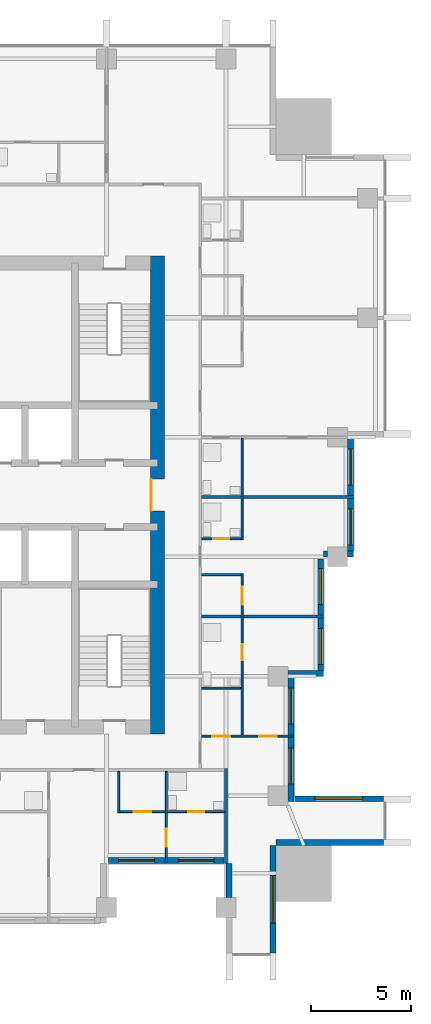
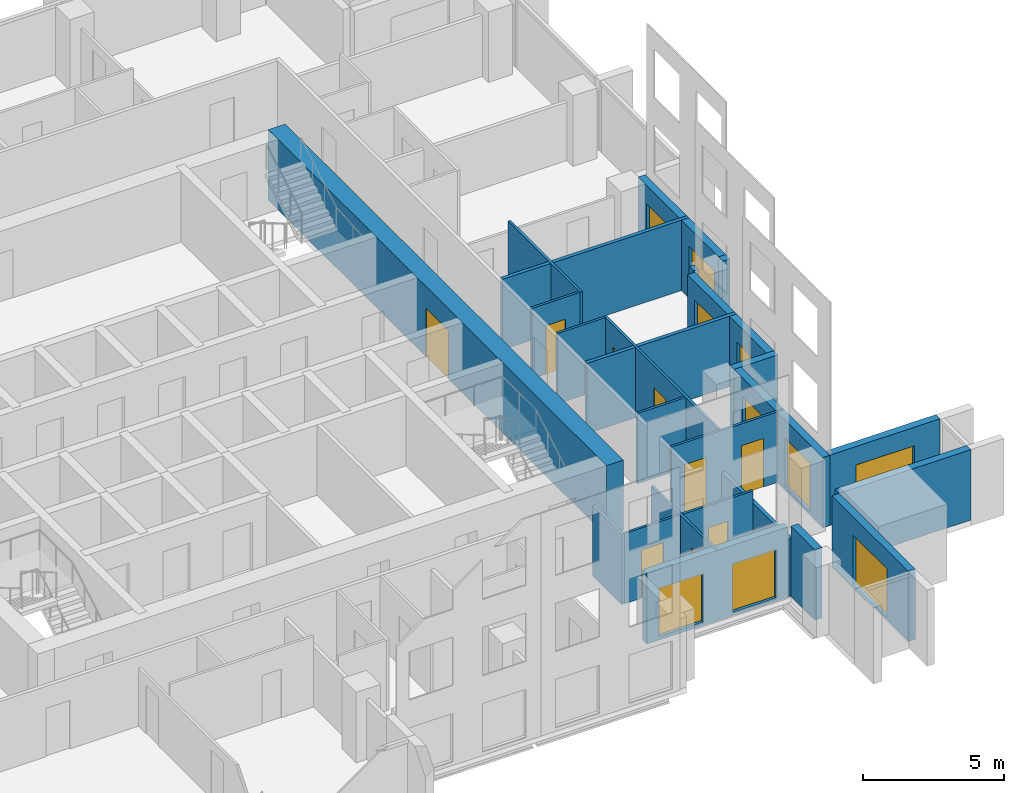
# One storey, part 6 of 11: 24 walls, 10 windows, 9 doors, 19 openings.
"""IFC4 building model written with IfcOpenShell, lengths in metres."""

from ifc_helpers import new_model, si_unit, direction, frame, frame_2d, origin, place, context, subcontext, project, spatial, rectangle, extrude, material, layer, layer_set, type_object, element, fill, save


model = new_model("IFC4")

# Units and contexts
model_context = context("Model", 3, precision=1e-05, world=origin(), true_north=direction((0.0, 1.0)))
body_context = subcontext(model_context, "Body", "Model", "MODEL_VIEW")
ifc_project = project(units=[si_unit("LENGTHUNIT", "METRE"), si_unit("AREAUNIT", "SQUARE_METRE"), si_unit("VOLUMEUNIT", "CUBIC_METRE"), si_unit("PLANEANGLEUNIT", "RADIAN"), si_unit("MASSUNIT", "GRAM", prefix="KILO")], contexts=[model_context])

# Site, building, storey
site_placement = place(None, origin())
site = spatial("IfcSite", under=ifc_project, at=site_placement, CompositionType="ELEMENT")
building_placement = place(site_placement, origin())
building = spatial("IfcBuilding", under=site, at=building_placement, Name="Amberfall Residences", CompositionType="ELEMENT")
storey_placement = place(building_placement, frame((0.0, 0.0, 154.89990234375)))
storey = spatial("IfcBuildingStorey", under=building, at=storey_placement, Name="L41", CompositionType="ELEMENT", Elevation=154.89990234375)

# Wall
ifc_material_1 = material(Name="Pale stone cladding on insulated backing", Category="masonry")
ifc_layer_1 = layer(ifc_material_1, 0.300048828125)
ifc_layer_set_1 = layer_set([ifc_layer_1], Name="Bronze clad wall 300")
wall_type_1 = type_object("IfcWallType", Name="Bronze clad wall 300", PredefinedType="SOLIDWALL", material=ifc_layer_set_1)
wall_1_placement = place(storey_placement, frame((89.75, 27.0, 0.0), z_axis=(0.0, 0.0, 1.0), x_axis=(0.0, -1.0, 0.0)))
element("IfcWall", 1, at=wall_1_placement, inside=storey, type_object=wall_type_1, Name="External wall L41 S", PredefinedType="SOLIDWALL", context=body_context, shape_type="SweptSolid", body=[
    extrude(rectangle(XDim=1.699951171875, YDim=0.300048828125, at=frame_2d((0.85009765625, 0.0))), origin(), (0.0, 0.0, 1.0), 3.050048828125),
])

# Wall, opening, window
wall_2_placement = place(storey_placement, frame((91.949951171875, 22.5, 0.0), z_axis=(0.0, 0.0, 1.0), x_axis=(0.0, 1.0, 0.0)))
wall_2 = element("IfcWall", 2, at=wall_2_placement, inside=storey, type_object=wall_type_1, Name="External wall L41 SE", PredefinedType="SOLIDWALL", context=body_context, shape_type="SweptSolid", body=[
    extrude(rectangle(XDim=5.39990234375, YDim=0.300048828125, at=frame_2d((2.699951171875, 0.0))), origin(), (0.0, 0.0, 1.0), 3.050048828125),
])
opening_1_placement = place(wall_2_placement, frame((1.5, 0.0, 0.14990234375)))
opening_1 = element("IfcOpeningElement", 3, at=opening_1_placement, cuts=wall_2, Name="Opening WN5", PredefinedType="OPENING", context=body_context, shape_type="SweptSolid", body=[
    extrude(rectangle(XDim=2.39990234375, YDim=2.10009765625, at=frame_2d((1.199951171875, 1.050048828125))), frame((0.0, 0.159912109375, 0.0), z_axis=(0.0, -1.0, 0.0), x_axis=(1.0, 0.0, 0.0)), (0.0, 0.0, 1.0), 0.320068359375),
])
ifc_material_2 = material(Name="Bronze aluminium framed glazing", Category="aluminium")
window_type_1 = type_object("IfcWindowType", Name="Glazed opening 2400 x 2100 bronze", PartitioningType="DOUBLE_PANEL_VERTICAL", PredefinedType="WINDOW", material=ifc_material_2)
window_1_placement = place(opening_1_placement, origin())
window_1 = element("IfcWindow", 4, at=window_1_placement, inside=storey, type_object=window_type_1, Name="Window L41 SE", OverallHeight=2.10009765625, OverallWidth=2.39990234375, PartitioningType="DOUBLE_PANEL_VERTICAL", PredefinedType="WINDOW", context=body_context, shape_type="SweptSolid", body=[
    extrude(rectangle(XDim=2.39990234375, YDim=2.10009765625, at=frame_2d((1.199951171875, 1.050048828125))), frame((0.0, 0.030029296875, 0.0), z_axis=(0.0, -1.0, 0.0), x_axis=(1.0, 0.0, 0.0)), (0.0, 0.0, 1.0), 0.06005859375),
])
fill(opening_1, window_1)

# Wall
wall_3_placement = place(storey_placement, frame((92.10009765625, 28.050048828125, 0.0), z_axis=(0.0, 0.0, 1.0), x_axis=(1.0, 0.0, 0.0)))
element("IfcWall", 5, at=wall_3_placement, inside=storey, type_object=wall_type_1, Name="External wall L41 SE", PredefinedType="SOLIDWALL", context=body_context, shape_type="SweptSolid", body=[
    extrude(rectangle(XDim=5.39990234375, YDim=0.300048828125, at=frame_2d((2.699951171875, 0.0))), origin(), (0.0, 0.0, 1.0), 3.050048828125),
])

# Wall, opening, window
wall_4_placement = place(storey_placement, frame((97.5, 30.25, 0.0), z_axis=(0.0, 0.0, 1.0), x_axis=(-1.0, 0.0, 0.0)))
wall_4 = element("IfcWall", 6, at=wall_4_placement, inside=storey, type_object=wall_type_1, Name="External wall L41 E", PredefinedType="SOLIDWALL", context=body_context, shape_type="SweptSolid", body=[
    extrude(rectangle(XDim=4.5, YDim=0.300048828125, at=frame_2d((2.25, 0.0))), origin(), (0.0, 0.0, 1.0), 3.050048828125),
])
opening_2_placement = place(wall_4_placement, frame((1.050048828125, 0.0, 0.14990234375)))
opening_2 = element("IfcOpeningElement", 7, at=opening_2_placement, cuts=wall_4, Name="Opening WN5", PredefinedType="OPENING", context=body_context, shape_type="SweptSolid", body=[
    extrude(rectangle(XDim=2.39990234375, YDim=2.10009765625, at=frame_2d((1.199951171875, 1.050048828125))), frame((0.0, 0.159912109375, 0.0), z_axis=(0.0, -1.0, 0.0), x_axis=(1.0, 0.0, 0.0)), (0.0, 0.0, 1.0), 0.320068359375),
])
window_2_placement = place(opening_2_placement, origin())
window_2 = element("IfcWindow", 8, at=window_2_placement, inside=storey, type_object=window_type_1, Name="Window L41 E", OverallHeight=2.10009765625, OverallWidth=2.39990234375, PartitioningType="DOUBLE_PANEL_VERTICAL", PredefinedType="WINDOW", context=body_context, shape_type="SweptSolid", body=[
    extrude(rectangle(XDim=2.39990234375, YDim=2.10009765625, at=frame_2d((1.199951171875, 1.050048828125))), frame((0.0, 0.030029296875, 0.0), z_axis=(0.0, -1.0, 0.0), x_axis=(1.0, 0.0, 0.0)), (0.0, 0.0, 1.0), 0.06005859375),
])
fill(opening_2, window_2)

# Walls
wall_5_placement = place(storey_placement, frame((92.699951171875, 36.550048828125, 0.0), z_axis=(0.0, 0.0, 1.0), x_axis=(1.0, 0.0, 0.0)))
element("IfcWall", 9, at=wall_5_placement, inside=storey, type_object=wall_type_1, Name="External wall L41 E", PredefinedType="SOLIDWALL", context=body_context, shape_type="SweptSolid", body=[
    extrude(rectangle(XDim=1.800048828125, YDim=0.300048828125, at=frame_2d((0.89990234375, 0.0))), origin(), (0.0, 0.0, 1.0), 3.050048828125),
])
wall_6_placement = place(storey_placement, frame((94.5, 42.550048828125, 0.0), z_axis=(0.0, 0.0, 1.0), x_axis=(1.0, 0.0, 0.0)))
element("IfcWall", 10, at=wall_6_placement, inside=storey, type_object=wall_type_1, Name="External wall L41 E", PredefinedType="SOLIDWALL", context=body_context, shape_type="SweptSolid", body=[
    extrude(rectangle(XDim=0.199951171875, YDim=0.300048828125, at=frame_2d((0.10009765625, 0.0))), origin(), (0.0, 0.0, 1.0), 3.050048828125),
])
wall_7_placement = place(storey_placement, frame((95.699951171875, 42.550048828125, 0.0), z_axis=(0.0, 0.0, 1.0), x_axis=(1.0, 0.0, 0.0)))
element("IfcWall", 11, at=wall_7_placement, inside=storey, type_object=wall_type_1, Name="External wall L41 E", PredefinedType="SOLIDWALL", context=body_context, shape_type="SweptSolid", body=[
    extrude(rectangle(XDim=0.300048828125, YDim=0.300048828125, at=frame_2d((0.14990234375, 0.0))), origin(), (0.0, 0.0, 1.0), 3.050048828125),
])

# Wall, openings, windows
wall_8_placement = place(storey_placement, frame((83.699951171875, 27.14990234375, 0.0), z_axis=(0.0, 0.0, 1.0), x_axis=(1.0, 0.0, 0.0)))
wall_8 = element("IfcWall", 12, at=wall_8_placement, inside=storey, type_object=wall_type_1, Name="Stone wall L41 S", PredefinedType="SOLIDWALL", context=body_context, shape_type="SweptSolid", body=[
    extrude(rectangle(XDim=5.7900390625, YDim=0.300048828125, at=frame_2d((2.89501953125, 0.0))), origin(), (0.0, 0.0, 1.0), 3.050048828125),
])
opening_3_placement = place(wall_8_placement, frame((0.5, 0.0, 0.14990234375)))
opening_3 = element("IfcOpeningElement", 13, at=opening_3_placement, cuts=wall_8, Name="Opening WN6", PredefinedType="OPENING", context=body_context, shape_type="SweptSolid", body=[
    extrude(rectangle(XDim=1.800048828125, YDim=2.10009765625, at=frame_2d((0.89990234375, 1.050048828125))), frame((0.0, 0.159912109375, 0.0), z_axis=(0.0, -1.0, 0.0), x_axis=(1.0, 0.0, 0.0)), (0.0, 0.0, 1.0), 0.320068359375),
])
opening_4_placement = place(wall_8_placement, frame((3.5, 0.0, 0.14990234375)))
opening_4 = element("IfcOpeningElement", 14, at=opening_4_placement, cuts=wall_8, Name="Opening WN6", PredefinedType="OPENING", context=body_context, shape_type="SweptSolid", body=[
    extrude(rectangle(XDim=1.800048828125, YDim=2.10009765625, at=frame_2d((0.89990234375, 1.050048828125))), frame((0.0, 0.159912109375, 0.0), z_axis=(0.0, -1.0, 0.0), x_axis=(1.0, 0.0, 0.0)), (0.0, 0.0, 1.0), 0.320068359375),
])
window_type_2 = type_object("IfcWindowType", Name="Glazed opening 1800 x 2100 bronze", PartitioningType="DOUBLE_PANEL_VERTICAL", PredefinedType="WINDOW", material=ifc_material_2)
window_3_placement = place(opening_3_placement, origin())
window_3 = element("IfcWindow", 15, at=window_3_placement, inside=storey, type_object=window_type_2, Name="Window L41 S", OverallHeight=2.10009765625, OverallWidth=1.800048828125, PartitioningType="DOUBLE_PANEL_VERTICAL", PredefinedType="WINDOW", context=body_context, shape_type="SweptSolid", body=[
    extrude(rectangle(XDim=1.800048828125, YDim=2.10009765625, at=frame_2d((0.89990234375, 1.050048828125))), frame((0.0, 0.030029296875, 0.0), z_axis=(0.0, -1.0, 0.0), x_axis=(1.0, 0.0, 0.0)), (0.0, 0.0, 1.0), 0.06005859375),
])
fill(opening_3, window_3)
window_4_placement = place(opening_4_placement, origin())
window_4 = element("IfcWindow", 16, at=window_4_placement, inside=storey, type_object=window_type_2, Name="Window L41 S", OverallHeight=2.10009765625, OverallWidth=1.800048828125, PartitioningType="DOUBLE_PANEL_VERTICAL", PredefinedType="WINDOW", context=body_context, shape_type="SweptSolid", body=[
    extrude(rectangle(XDim=1.800048828125, YDim=2.10009765625, at=frame_2d((0.89990234375, 1.050048828125))), frame((0.0, 0.030029296875, 0.0), z_axis=(0.0, -1.0, 0.0), x_axis=(1.0, 0.0, 0.0)), (0.0, 0.0, 1.0), 0.06005859375),
])
fill(opening_4, window_4)

wall_9_placement = place(storey_placement, frame((92.85009765625, 30.10009765625, 0.0), z_axis=(0.0, 0.0, 1.0), x_axis=(0.0, 1.0, 0.0)))
wall_9 = element("IfcWall", 17, at=wall_9_placement, inside=storey, type_object=wall_type_1, Name="Stone wall L41 E", PredefinedType="SOLIDWALL", context=body_context, shape_type="SweptSolid", body=[
    extrude(rectangle(XDim=6.2998046875, YDim=0.300048828125, at=frame_2d((3.14990234375, 0.0))), origin(), (0.0, 0.0, 1.0), 3.050048828125),
])
opening_5_placement = place(wall_9_placement, frame((0.89990234375, 0.0, 0.14990234375)))
opening_5 = element("IfcOpeningElement", 18, at=opening_5_placement, cuts=wall_9, Name="Opening WN6", PredefinedType="OPENING", context=body_context, shape_type="SweptSolid", body=[
    extrude(rectangle(XDim=1.800048828125, YDim=2.10009765625, at=frame_2d((0.89990234375, 1.050048828125))), frame((0.0, 0.159912109375, 0.0), z_axis=(0.0, -1.0, 0.0), x_axis=(1.0, 0.0, 0.0)), (0.0, 0.0, 1.0), 0.320068359375),
])
opening_6_placement = place(wall_9_placement, frame((3.89990234375, 0.0, 0.14990234375)))
opening_6 = element("IfcOpeningElement", 19, at=opening_6_placement, cuts=wall_9, Name="Opening WN6", PredefinedType="OPENING", context=body_context, shape_type="SweptSolid", body=[
    extrude(rectangle(XDim=1.800048828125, YDim=2.10009765625, at=frame_2d((0.89990234375, 1.050048828125))), frame((0.0, 0.159912109375, 0.0), z_axis=(0.0, -1.0, 0.0), x_axis=(1.0, 0.0, 0.0)), (0.0, 0.0, 1.0), 0.320068359375),
])
window_5_placement = place(opening_5_placement, origin())
window_5 = element("IfcWindow", 20, at=window_5_placement, inside=storey, type_object=window_type_2, Name="Window L41 E", OverallHeight=2.10009765625, OverallWidth=1.800048828125, PartitioningType="DOUBLE_PANEL_VERTICAL", PredefinedType="WINDOW", context=body_context, shape_type="SweptSolid", body=[
    extrude(rectangle(XDim=1.800048828125, YDim=2.10009765625, at=frame_2d((0.89990234375, 1.050048828125))), frame((0.0, 0.030029296875, 0.0), z_axis=(0.0, -1.0, 0.0), x_axis=(1.0, 0.0, 0.0)), (0.0, 0.0, 1.0), 0.06005859375),
])
fill(opening_5, window_5)
window_6_placement = place(opening_6_placement, origin())
window_6 = element("IfcWindow", 21, at=window_6_placement, inside=storey, type_object=window_type_2, Name="Window L41 E", OverallHeight=2.10009765625, OverallWidth=1.800048828125, PartitioningType="DOUBLE_PANEL_VERTICAL", PredefinedType="WINDOW", context=body_context, shape_type="SweptSolid", body=[
    extrude(rectangle(XDim=1.800048828125, YDim=2.10009765625, at=frame_2d((0.89990234375, 1.050048828125))), frame((0.0, 0.030029296875, 0.0), z_axis=(0.0, -1.0, 0.0), x_axis=(1.0, 0.0, 0.0)), (0.0, 0.0, 1.0), 0.06005859375),
])
fill(opening_6, window_6)

wall_10_placement = place(storey_placement, frame((94.35009765625, 36.699951171875, 0.0), z_axis=(0.0, 0.0, 1.0), x_axis=(0.0, 1.0, 0.0)))
wall_10 = element("IfcWall", 22, at=wall_10_placement, inside=storey, type_object=wall_type_1, Name="Stone wall L41 E", PredefinedType="SOLIDWALL", context=body_context, shape_type="SweptSolid", body=[
    extrude(rectangle(XDim=5.60009765625, YDim=0.300048828125, at=frame_2d((2.800048828125, 0.0))), origin(), (0.0, 0.0, 1.0), 3.050048828125),
])
opening_7_placement = place(wall_10_placement, frame((0.300048828125, 0.0, 0.14990234375)))
opening_7 = element("IfcOpeningElement", 23, at=opening_7_placement, cuts=wall_10, Name="Opening WN6", PredefinedType="OPENING", context=body_context, shape_type="SweptSolid", body=[
    extrude(rectangle(XDim=1.800048828125, YDim=2.10009765625, at=frame_2d((0.89990234375, 1.050048828125))), frame((0.0, 0.159912109375, 0.0), z_axis=(0.0, -1.0, 0.0), x_axis=(1.0, 0.0, 0.0)), (0.0, 0.0, 1.0), 0.320068359375),
])
opening_8_placement = place(wall_10_placement, frame((3.300048828125, 0.0, 0.14990234375)))
opening_8 = element("IfcOpeningElement", 24, at=opening_8_placement, cuts=wall_10, Name="Opening WN6", PredefinedType="OPENING", context=body_context, shape_type="SweptSolid", body=[
    extrude(rectangle(XDim=1.800048828125, YDim=2.10009765625, at=frame_2d((0.89990234375, 1.050048828125))), frame((0.0, 0.159912109375, 0.0), z_axis=(0.0, -1.0, 0.0), x_axis=(1.0, 0.0, 0.0)), (0.0, 0.0, 1.0), 0.320068359375),
])
window_7_placement = place(opening_7_placement, origin())
window_7 = element("IfcWindow", 25, at=window_7_placement, inside=storey, type_object=window_type_2, Name="Window L41 E", OverallHeight=2.10009765625, OverallWidth=1.800048828125, PartitioningType="DOUBLE_PANEL_VERTICAL", PredefinedType="WINDOW", context=body_context, shape_type="SweptSolid", body=[
    extrude(rectangle(XDim=1.800048828125, YDim=2.10009765625, at=frame_2d((0.89990234375, 1.050048828125))), frame((0.0, 0.030029296875, 0.0), z_axis=(0.0, -1.0, 0.0), x_axis=(1.0, 0.0, 0.0)), (0.0, 0.0, 1.0), 0.06005859375),
])
fill(opening_7, window_7)
window_8_placement = place(opening_8_placement, origin())
window_8 = element("IfcWindow", 26, at=window_8_placement, inside=storey, type_object=window_type_2, Name="Window L41 E", OverallHeight=2.10009765625, OverallWidth=1.800048828125, PartitioningType="DOUBLE_PANEL_VERTICAL", PredefinedType="WINDOW", context=body_context, shape_type="SweptSolid", body=[
    extrude(rectangle(XDim=1.800048828125, YDim=2.10009765625, at=frame_2d((0.89990234375, 1.050048828125))), frame((0.0, 0.030029296875, 0.0), z_axis=(0.0, -1.0, 0.0), x_axis=(1.0, 0.0, 0.0)), (0.0, 0.0, 1.0), 0.06005859375),
])
fill(opening_8, window_8)

wall_11_placement = place(storey_placement, frame((95.85009765625, 42.699951171875, 0.0), z_axis=(0.0, 0.0, 1.0), x_axis=(0.0, 1.0, 0.0)))
wall_11 = element("IfcWall", 27, at=wall_11_placement, inside=storey, type_object=wall_type_1, Name="Stone wall L41 E", PredefinedType="SOLIDWALL", context=body_context, shape_type="SweptSolid", body=[
    extrude(rectangle(XDim=5.699951171875, YDim=0.300048828125, at=frame_2d((2.85009765625, 0.0))), origin(), (0.0, 0.0, 1.0), 3.050048828125),
])
opening_9_placement = place(wall_11_placement, frame((0.300048828125, 0.0, 0.14990234375)))
opening_9 = element("IfcOpeningElement", 28, at=opening_9_placement, cuts=wall_11, Name="Opening WN6", PredefinedType="OPENING", context=body_context, shape_type="SweptSolid", body=[
    extrude(rectangle(XDim=1.800048828125, YDim=2.10009765625, at=frame_2d((0.89990234375, 1.050048828125))), frame((0.0, 0.159912109375, 0.0), z_axis=(0.0, -1.0, 0.0), x_axis=(1.0, 0.0, 0.0)), (0.0, 0.0, 1.0), 0.320068359375),
])
opening_10_placement = place(wall_11_placement, frame((3.300048828125, 0.0, 0.14990234375)))
opening_10 = element("IfcOpeningElement", 29, at=opening_10_placement, cuts=wall_11, Name="Opening WN6", PredefinedType="OPENING", context=body_context, shape_type="SweptSolid", body=[
    extrude(rectangle(XDim=1.800048828125, YDim=2.10009765625, at=frame_2d((0.89990234375, 1.050048828125))), frame((0.0, 0.159912109375, 0.0), z_axis=(0.0, -1.0, 0.0), x_axis=(1.0, 0.0, 0.0)), (0.0, 0.0, 1.0), 0.320068359375),
])
window_9_placement = place(opening_9_placement, origin())
window_9 = element("IfcWindow", 30, at=window_9_placement, inside=storey, type_object=window_type_2, Name="Window L41 E", OverallHeight=2.10009765625, OverallWidth=1.800048828125, PartitioningType="DOUBLE_PANEL_VERTICAL", PredefinedType="WINDOW", context=body_context, shape_type="SweptSolid", body=[
    extrude(rectangle(XDim=1.800048828125, YDim=2.10009765625, at=frame_2d((0.89990234375, 1.050048828125))), frame((0.0, 0.030029296875, 0.0), z_axis=(0.0, -1.0, 0.0), x_axis=(1.0, 0.0, 0.0)), (0.0, 0.0, 1.0), 0.06005859375),
])
fill(opening_9, window_9)
window_10_placement = place(opening_10_placement, origin())
window_10 = element("IfcWindow", 31, at=window_10_placement, inside=storey, type_object=window_type_2, Name="Window L41 E", OverallHeight=2.10009765625, OverallWidth=1.800048828125, PartitioningType="DOUBLE_PANEL_VERTICAL", PredefinedType="WINDOW", context=body_context, shape_type="SweptSolid", body=[
    extrude(rectangle(XDim=1.800048828125, YDim=2.10009765625, at=frame_2d((0.89990234375, 1.050048828125))), frame((0.0, 0.030029296875, 0.0), z_axis=(0.0, -1.0, 0.0), x_axis=(1.0, 0.0, 0.0)), (0.0, 0.0, 1.0), 0.06005859375),
])
fill(opening_10, window_10)

# Wall, opening, door
ifc_material_3 = material(Name="Concrete C60", Category="concrete")
ifc_layer_2 = layer(ifc_material_3, 0.699951171875)
ifc_layer_set_2 = layer_set([ifc_layer_2], Name="Core wall 700 C60")
wall_type_2 = type_object("IfcWallType", Name="Core wall 700 C60", PredefinedType="SHEAR", material=ifc_layer_set_2)
wall_12_placement = place(storey_placement, frame((86.14990234375, 33.5, 0.0), z_axis=(0.0, 0.0, 1.0), x_axis=(0.0, 1.0, 0.0)))
wall_12 = element("IfcWall", 32, at=wall_12_placement, inside=storey, type_object=wall_type_2, Name="Core wall RW5 L41 OE", PredefinedType="SHEAR", context=body_context, shape_type="SweptSolid", body=[
    extrude(rectangle(XDim=24.0, YDim=0.699951171875, at=frame_2d((12.0, 0.0))), origin(), (0.0, 0.0, 1.0), 3.050048828125),
])
opening_11_placement = place(wall_12_placement, frame((11.199951171875, 0.0, 0.0)))
opening_11 = element("IfcOpeningElement", 33, at=opening_11_placement, cuts=wall_12, Name="Opening LB1", PredefinedType="OPENING", context=body_context, shape_type="SweptSolid", body=[
    extrude(rectangle(XDim=1.60009765625, YDim=2.10009765625, at=frame_2d((0.800048828125, 1.050048828125))), frame((0.0, 0.35986328125, 0.0), z_axis=(0.0, -1.0, 0.0), x_axis=(1.0, 0.0, 0.0)), (0.0, 0.0, 1.0), 0.719970703125),
])
ifc_material_4 = material(Name="Steel fire door set", Category="steel")
door_type_1 = type_object("IfcDoorType", Name="Lift lobby double door 1600 x 2100", OperationType="DOUBLE_DOOR_SINGLE_SWING", PredefinedType="DOOR", material=ifc_material_4)
door_1_placement = place(opening_11_placement, origin())
door_1 = element("IfcDoor", 34, at=door_1_placement, inside=storey, type_object=door_type_1, Name="LB1 L41", OperationType="DOUBLE_DOOR_SINGLE_SWING", OverallHeight=2.10009765625, OverallWidth=1.60009765625, PredefinedType="DOOR", context=body_context, shape_type="SweptSolid", body=[
    extrude(rectangle(XDim=1.60009765625, YDim=2.10009765625, at=frame_2d((0.800048828125, 1.050048828125))), frame((0.0, 0.33740234375, 0.0), z_axis=(0.0, -1.0, 0.0), x_axis=(1.0, 0.0, 0.0)), (0.0, 0.0, 1.0), 0.050048828125),
])
fill(opening_11, door_1)

# Wall
ifc_material_5 = material(Name="Gypsum board on metal stud")
ifc_layer_3 = layer(ifc_material_5, 0.10009765625)
ifc_layer_set_3 = layer_set([ifc_layer_3], Name="Flat partition 100")
wall_type_3 = type_object("IfcWallType", Name="Flat partition 100", PredefinedType="PARTITIONING", material=ifc_layer_set_3)
wall_13_placement = place(storey_placement, frame((84.199951171875, 29.550048828125, 0.0), z_axis=(0.0, 0.0, 1.0), x_axis=(0.0, 1.0, 0.0)))
element("IfcWall", 35, at=wall_13_placement, inside=storey, type_object=wall_type_3, Name="Partition 019", PredefinedType="PARTITIONING", context=body_context, shape_type="SweptSolid", body=[
    extrude(rectangle(XDim=2.074951171875, YDim=0.10009765625, at=frame_2d((1.03759765625, 0.0))), origin(), (0.0, 0.0, 1.0), 3.050048828125),
])

# Wall, opening, door
wall_14_placement = place(storey_placement, frame((86.60009765625, 31.625, 0.0), z_axis=(0.0, 0.0, 1.0), x_axis=(0.0, -1.0, 0.0)))
wall_14 = element("IfcWall", 36, at=wall_14_placement, inside=storey, type_object=wall_type_3, Name="Partition 020", PredefinedType="PARTITIONING", context=body_context, shape_type="SweptSolid", body=[
    extrude(rectangle(XDim=4.625, YDim=0.10009765625, at=frame_2d((2.3125, 0.0))), origin(), (0.0, 0.0, 1.0), 3.050048828125),
])
opening_12_placement = place(wall_14_placement, frame((2.875, 0.0, 0.0)))
opening_12 = element("IfcOpeningElement", 37, at=opening_12_placement, cuts=wall_14, Name="Opening D41", PredefinedType="OPENING", context=body_context, shape_type="SweptSolid", body=[
    extrude(rectangle(XDim=0.89990234375, YDim=2.10009765625, at=frame_2d((0.449951171875, 1.050048828125))), frame((0.0, 0.06005859375, 0.0), z_axis=(0.0, -1.0, 0.0), x_axis=(1.0, 0.0, 0.0)), (0.0, 0.0, 1.0), 0.1201171875),
])
ifc_material_6 = material(Name="Timber", Category="wood")
door_type_2 = type_object("IfcDoorType", Name="Internal door 900 x 2100", OperationType="SINGLE_SWING_LEFT", PredefinedType="DOOR", material=ifc_material_6)
door_2_placement = place(opening_12_placement, origin())
door_2 = element("IfcDoor", 38, at=door_2_placement, inside=storey, type_object=door_type_2, Name="Door 4103 bedroom2", OperationType="SINGLE_SWING_LEFT", OverallHeight=2.10009765625, OverallWidth=0.89990234375, PredefinedType="DOOR", context=body_context, shape_type="SweptSolid", body=[
    extrude(rectangle(XDim=0.89990234375, YDim=2.10009765625, at=frame_2d((0.449951171875, 1.050048828125))), frame((0.0, 0.02490234375, 0.0), z_axis=(0.0, -1.0, 0.0), x_axis=(1.0, 0.0, 0.0)), (0.0, 0.0, 1.0), 0.050048828125),
])
fill(opening_12, door_2)

# Wall, openings, doors
wall_15_placement = place(storey_placement, frame((90.39990234375, 33.449951171875, 0.0), z_axis=(0.0, 0.0, 1.0), x_axis=(0.0, 1.0, 0.0)))
wall_15 = element("IfcWall", 39, at=wall_15_placement, inside=storey, type_object=wall_type_3, Name="Partition 021", PredefinedType="PARTITIONING", context=body_context, shape_type="SweptSolid", body=[
    extrude(rectangle(XDim=8.10009765625, YDim=0.10009765625, at=frame_2d((4.050048828125, 0.0))), origin(), (0.0, 0.0, 1.0), 3.050048828125),
])
opening_13_placement = place(wall_15_placement, frame((3.75, 0.0, 0.0)))
opening_13 = element("IfcOpeningElement", 40, at=opening_13_placement, cuts=wall_15, Name="Opening D42", PredefinedType="OPENING", context=body_context, shape_type="SweptSolid", body=[
    extrude(rectangle(XDim=0.800048828125, YDim=2.10009765625, at=frame_2d((0.39990234375, 1.050048828125))), frame((0.0, 0.06005859375, 0.0), z_axis=(0.0, -1.0, 0.0), x_axis=(1.0, 0.0, 0.0)), (0.0, 0.0, 1.0), 0.1201171875),
])
opening_14_placement = place(wall_15_placement, frame((6.550048828125, 0.0, 0.0)))
opening_14 = element("IfcOpeningElement", 41, at=opening_14_placement, cuts=wall_15, Name="Opening D41", PredefinedType="OPENING", context=body_context, shape_type="SweptSolid", body=[
    extrude(rectangle(XDim=0.89990234375, YDim=2.10009765625, at=frame_2d((0.449951171875, 1.050048828125))), frame((0.0, 0.06005859375, 0.0), z_axis=(0.0, -1.0, 0.0), x_axis=(1.0, 0.0, 0.0)), (0.0, 0.0, 1.0), 0.1201171875),
])
door_type_3 = type_object("IfcDoorType", Name="Bathroom door 800 x 2100", OperationType="SINGLE_SWING_LEFT", PredefinedType="DOOR", material=ifc_material_6)
door_3_placement = place(opening_13_placement, origin())
door_3 = element("IfcDoor", 42, at=door_3_placement, inside=storey, type_object=door_type_3, Name="Door 4104 bath1", OperationType="SINGLE_SWING_LEFT", OverallHeight=2.10009765625, OverallWidth=0.800048828125, PredefinedType="DOOR", context=body_context, shape_type="SweptSolid", body=[
    extrude(rectangle(XDim=0.800048828125, YDim=2.10009765625, at=frame_2d((0.39990234375, 1.050048828125))), frame((0.0, 0.02490234375, 0.0), z_axis=(0.0, -1.0, 0.0), x_axis=(1.0, 0.0, 0.0)), (0.0, 0.0, 1.0), 0.050048828125),
])
fill(opening_13, door_3)
door_4_placement = place(opening_14_placement, origin())
door_4 = element("IfcDoor", 43, at=door_4_placement, inside=storey, type_object=door_type_2, Name="Door 4105 kitchen", OperationType="SINGLE_SWING_LEFT", OverallHeight=2.10009765625, OverallWidth=0.89990234375, PredefinedType="DOOR", context=body_context, shape_type="SweptSolid", body=[
    extrude(rectangle(XDim=0.89990234375, YDim=2.10009765625, at=frame_2d((0.449951171875, 1.050048828125))), frame((0.0, 0.02490234375, 0.0), z_axis=(0.0, -1.0, 0.0), x_axis=(1.0, 0.0, 0.0)), (0.0, 0.0, 1.0), 0.050048828125),
])
fill(opening_14, door_4)

# Wall
wall_16_placement = place(storey_placement, frame((90.39990234375, 43.25, 0.0), z_axis=(0.0, 0.0, 1.0), x_axis=(0.0, 1.0, 0.0)))
element("IfcWall", 44, at=wall_16_placement, inside=storey, type_object=wall_type_3, Name="Partition 022", PredefinedType="PARTITIONING", context=body_context, shape_type="SweptSolid", body=[
    extrude(rectangle(XDim=5.10009765625, YDim=0.10009765625, at=frame_2d((2.550048828125, 0.0))), origin(), (0.0, 0.0, 1.0), 3.050048828125),
])

# Wall, opening, door
wall_17_placement = place(storey_placement, frame((88.375, 43.300048828125, 0.0), z_axis=(0.0, 0.0, 1.0), x_axis=(1.0, 0.0, 0.0)))
wall_17 = element("IfcWall", 45, at=wall_17_placement, inside=storey, type_object=wall_type_3, Name="Partition 038", PredefinedType="PARTITIONING", context=body_context, shape_type="SweptSolid", body=[
    extrude(rectangle(XDim=1.97509765625, YDim=0.10009765625, at=frame_2d((0.987548828125, 0.0))), origin(), (0.0, 0.0, 1.0), 3.050048828125),
])
opening_15_placement = place(wall_17_placement, frame((0.574951171875, 0.0, 0.0)))
opening_15 = element("IfcOpeningElement", 46, at=opening_15_placement, cuts=wall_17, Name="Opening D42", PredefinedType="OPENING", context=body_context, shape_type="SweptSolid", body=[
    extrude(rectangle(XDim=0.800048828125, YDim=2.10009765625, at=frame_2d((0.39990234375, 1.050048828125))), frame((0.0, 0.06005859375, 0.0), z_axis=(0.0, -1.0, 0.0), x_axis=(1.0, 0.0, 0.0)), (0.0, 0.0, 1.0), 0.1201171875),
])
door_5_placement = place(opening_15_placement, origin())
door_5 = element("IfcDoor", 47, at=door_5_placement, inside=storey, type_object=door_type_3, Name="Door 4105 bath1", OperationType="SINGLE_SWING_LEFT", OverallHeight=2.10009765625, OverallWidth=0.800048828125, PredefinedType="DOOR", context=body_context, shape_type="SweptSolid", body=[
    extrude(rectangle(XDim=0.800048828125, YDim=2.10009765625, at=frame_2d((0.39990234375, 1.050048828125))), frame((0.0, 0.02490234375, 0.0), z_axis=(0.0, -1.0, 0.0), x_axis=(1.0, 0.0, 0.0)), (0.0, 0.0, 1.0), 0.050048828125),
])
fill(opening_15, door_5)

# Walls
for number, where, z_axis, x_axis, name in (
    (48, (88.375, 41.5, 0.0), (0.0, 0.0, 1.0), (1.0, 0.0, 0.0), "Partition 039"),
    (49, (88.375, 35.800048828125, 0.0), (0.0, 0.0, 1.0), (1.0, 0.0, 0.0), "Partition 042"),
):
    element("IfcWall", number, at=place(storey_placement, frame(where, z_axis=z_axis, x_axis=x_axis)), inside=storey, type_object=wall_type_3, Name=name, PredefinedType="PARTITIONING", context=body_context, shape_type="SweptSolid", body=[
        extrude(rectangle(XDim=1.97509765625, YDim=0.10009765625, at=frame_2d((0.987548828125, 0.0))), origin(), (0.0, 0.0, 1.0), 3.050048828125),
    ])

# Wall, openings, doors
wall_18_placement = place(storey_placement, frame((88.375, 33.39990234375, 0.0), z_axis=(0.0, 0.0, 1.0), x_axis=(1.0, 0.0, 0.0)))
wall_18 = element("IfcWall", 50, at=wall_18_placement, inside=storey, type_object=wall_type_3, Name="Partition 044", PredefinedType="PARTITIONING", context=body_context, shape_type="SweptSolid", body=[
    extrude(rectangle(XDim=4.625, YDim=0.10009765625, at=frame_2d((2.3125, 0.0))), origin(), (0.0, 0.0, 1.0), 3.050048828125),
])
opening_16_placement = place(wall_18_placement, frame((0.52490234375, 0.0, 0.0)))
opening_16 = element("IfcOpeningElement", 51, at=opening_16_placement, cuts=wall_18, Name="Opening D41", PredefinedType="OPENING", context=body_context, shape_type="SweptSolid", body=[
    extrude(rectangle(XDim=0.89990234375, YDim=2.10009765625, at=frame_2d((0.449951171875, 1.050048828125))), frame((0.0, 0.06005859375, 0.0), z_axis=(0.0, -1.0, 0.0), x_axis=(1.0, 0.0, 0.0)), (0.0, 0.0, 1.0), 0.1201171875),
])
opening_17_placement = place(wall_18_placement, frame((2.875, 0.0, 0.0)))
opening_17 = element("IfcOpeningElement", 52, at=opening_17_placement, cuts=wall_18, Name="Opening D41", PredefinedType="OPENING", context=body_context, shape_type="SweptSolid", body=[
    extrude(rectangle(XDim=0.89990234375, YDim=2.10009765625, at=frame_2d((0.449951171875, 1.050048828125))), frame((0.0, 0.06005859375, 0.0), z_axis=(0.0, -1.0, 0.0), x_axis=(1.0, 0.0, 0.0)), (0.0, 0.0, 1.0), 0.1201171875),
])
door_6_placement = place(opening_16_placement, origin())
door_6 = element("IfcDoor", 53, at=door_6_placement, inside=storey, type_object=door_type_2, Name="Door 4104 kitchen", OperationType="SINGLE_SWING_LEFT", OverallHeight=2.10009765625, OverallWidth=0.89990234375, PredefinedType="DOOR", context=body_context, shape_type="SweptSolid", body=[
    extrude(rectangle(XDim=0.89990234375, YDim=2.10009765625, at=frame_2d((0.449951171875, 1.050048828125))), frame((0.0, 0.02490234375, 0.0), z_axis=(0.0, -1.0, 0.0), x_axis=(1.0, 0.0, 0.0)), (0.0, 0.0, 1.0), 0.050048828125),
])
fill(opening_16, door_6)
door_7_placement = place(opening_17_placement, origin())
door_7 = element("IfcDoor", 54, at=door_7_placement, inside=storey, type_object=door_type_2, Name="Door 4104 bedroom1", OperationType="SINGLE_SWING_LEFT", OverallHeight=2.10009765625, OverallWidth=0.89990234375, PredefinedType="DOOR", context=body_context, shape_type="SweptSolid", body=[
    extrude(rectangle(XDim=0.89990234375, YDim=2.10009765625, at=frame_2d((0.449951171875, 1.050048828125))), frame((0.0, 0.02490234375, 0.0), z_axis=(0.0, -1.0, 0.0), x_axis=(1.0, 0.0, 0.0)), (0.0, 0.0, 1.0), 0.050048828125),
])
fill(opening_17, door_7)

wall_19_placement = place(storey_placement, frame((84.25, 29.60009765625, 0.0), z_axis=(0.0, 0.0, 1.0), x_axis=(1.0, 0.0, 0.0)))
wall_19 = element("IfcWall", 55, at=wall_19_placement, inside=storey, type_object=wall_type_3, Name="Partition 048", PredefinedType="PARTITIONING", context=body_context, shape_type="SweptSolid", body=[
    extrude(rectangle(XDim=5.27490234375, YDim=0.10009765625, at=frame_2d((2.637451171875, 0.0))), origin(), (0.0, 0.0, 1.0), 3.050048828125),
])
opening_18_placement = place(wall_19_placement, frame((0.699951171875, 0.0, 0.0)))
opening_18 = element("IfcOpeningElement", 56, at=opening_18_placement, cuts=wall_19, Name="Opening D41", PredefinedType="OPENING", context=body_context, shape_type="SweptSolid", body=[
    extrude(rectangle(XDim=0.89990234375, YDim=2.10009765625, at=frame_2d((0.449951171875, 1.050048828125))), frame((0.0, 0.06005859375, 0.0), z_axis=(0.0, -1.0, 0.0), x_axis=(1.0, 0.0, 0.0)), (0.0, 0.0, 1.0), 0.1201171875),
])
opening_19_placement = place(wall_19_placement, frame((3.449951171875, 0.0, 0.0)))
opening_19 = element("IfcOpeningElement", 57, at=opening_19_placement, cuts=wall_19, Name="Opening D42", PredefinedType="OPENING", context=body_context, shape_type="SweptSolid", body=[
    extrude(rectangle(XDim=0.800048828125, YDim=2.10009765625, at=frame_2d((0.39990234375, 1.050048828125))), frame((0.0, 0.06005859375, 0.0), z_axis=(0.0, -1.0, 0.0), x_axis=(1.0, 0.0, 0.0)), (0.0, 0.0, 1.0), 0.1201171875),
])
door_8_placement = place(opening_19_placement, origin())
door_8 = element("IfcDoor", 58, at=door_8_placement, inside=storey, type_object=door_type_3, Name="Door 4103 bath2", OperationType="SINGLE_SWING_LEFT", OverallHeight=2.10009765625, OverallWidth=0.800048828125, PredefinedType="DOOR", context=body_context, shape_type="SweptSolid", body=[
    extrude(rectangle(XDim=0.800048828125, YDim=2.10009765625, at=frame_2d((0.39990234375, 1.050048828125))), frame((0.0, 0.02490234375, 0.0), z_axis=(0.0, -1.0, 0.0), x_axis=(1.0, 0.0, 0.0)), (0.0, 0.0, 1.0), 0.050048828125),
])
fill(opening_19, door_8)
door_9_placement = place(opening_18_placement, origin())
door_9 = element("IfcDoor", 59, at=door_9_placement, inside=storey, type_object=door_type_2, Name="Door 4103 kitchen", OperationType="SINGLE_SWING_LEFT", OverallHeight=2.10009765625, OverallWidth=0.89990234375, PredefinedType="DOOR", context=body_context, shape_type="SweptSolid", body=[
    extrude(rectangle(XDim=0.89990234375, YDim=2.10009765625, at=frame_2d((0.449951171875, 1.050048828125))), frame((0.0, 0.02490234375, 0.0), z_axis=(0.0, -1.0, 0.0), x_axis=(1.0, 0.0, 0.0)), (0.0, 0.0, 1.0), 0.050048828125),
])
fill(opening_18, door_9)

# Walls
ifc_material_7 = material(Name="Blockwork, plastered", Category="masonry")
ifc_layer_4 = layer(ifc_material_7, 0.14990234375)
ifc_layer_set_4 = layer_set([ifc_layer_4], Name="Flat separating wall 150")
wall_type_4 = type_object("IfcWallType", Name="Flat separating wall 150", PredefinedType="PARTITIONING", material=ifc_layer_set_4)
wall_20_placement = place(storey_placement, frame((89.60009765625, 27.0, 0.0), z_axis=(0.0, 0.0, 1.0), x_axis=(0.0, 1.0, 0.0)))
element("IfcWall", 60, at=wall_20_placement, inside=storey, type_object=wall_type_4, Name="Separating wall 059", PredefinedType="PARTITIONING", context=body_context, shape_type="SweptSolid", body=[
    extrude(rectangle(XDim=4.77490234375, YDim=0.14990234375, at=frame_2d((2.387451171875, 0.0))), origin(), (0.0, 0.0, 1.0), 2.510009765625),
])
wall_21_placement = place(storey_placement, frame((88.375, 45.39990234375, 0.0), z_axis=(0.0, 0.0, 1.0), x_axis=(1.0, 0.0, 0.0)))
element("IfcWall", 61, at=wall_21_placement, inside=storey, type_object=wall_type_4, Name="Separating wall 064", PredefinedType="PARTITIONING", context=body_context, shape_type="SweptSolid", body=[
    extrude(rectangle(XDim=7.625, YDim=0.14990234375, at=frame_2d((3.8125, 0.0))), origin(), (0.0, 0.0, 1.0), 3.050048828125),
])
wall_22_placement = place(storey_placement, frame((88.375, 39.39990234375, 0.0), z_axis=(0.0, 0.0, 1.0), x_axis=(1.0, 0.0, 0.0)))
element("IfcWall", 62, at=wall_22_placement, inside=storey, type_object=wall_type_4, Name="Separating wall 066", PredefinedType="PARTITIONING", context=body_context, shape_type="SweptSolid", body=[
    extrude(rectangle(XDim=6.125, YDim=0.14990234375, at=frame_2d((3.0625, 0.0))), origin(), (0.0, 0.0, 1.0), 3.050048828125),
])

save(model, "model.ifc")
